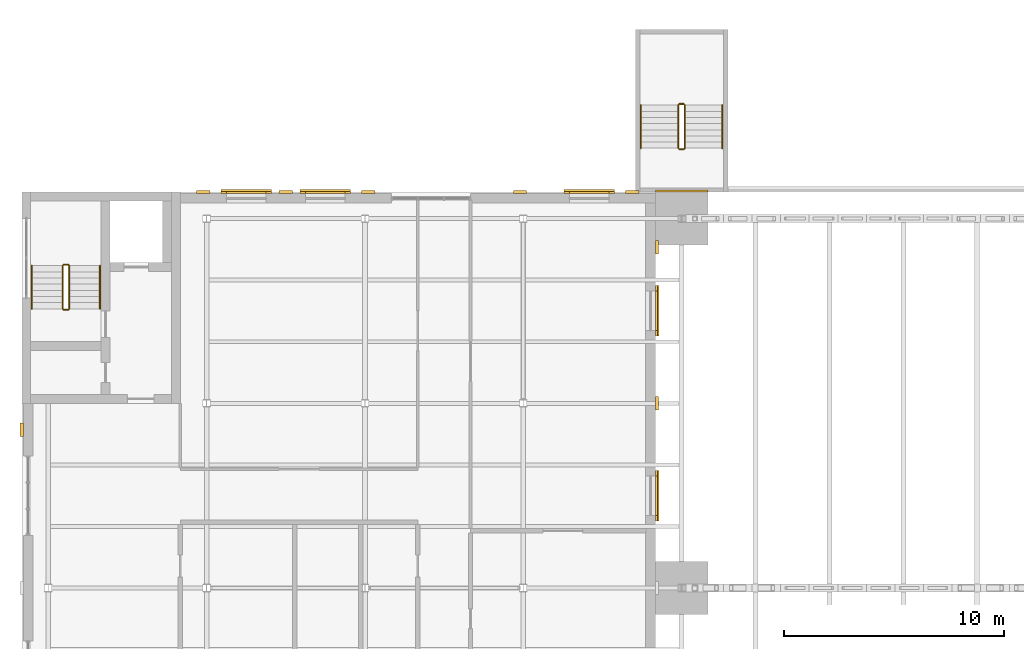
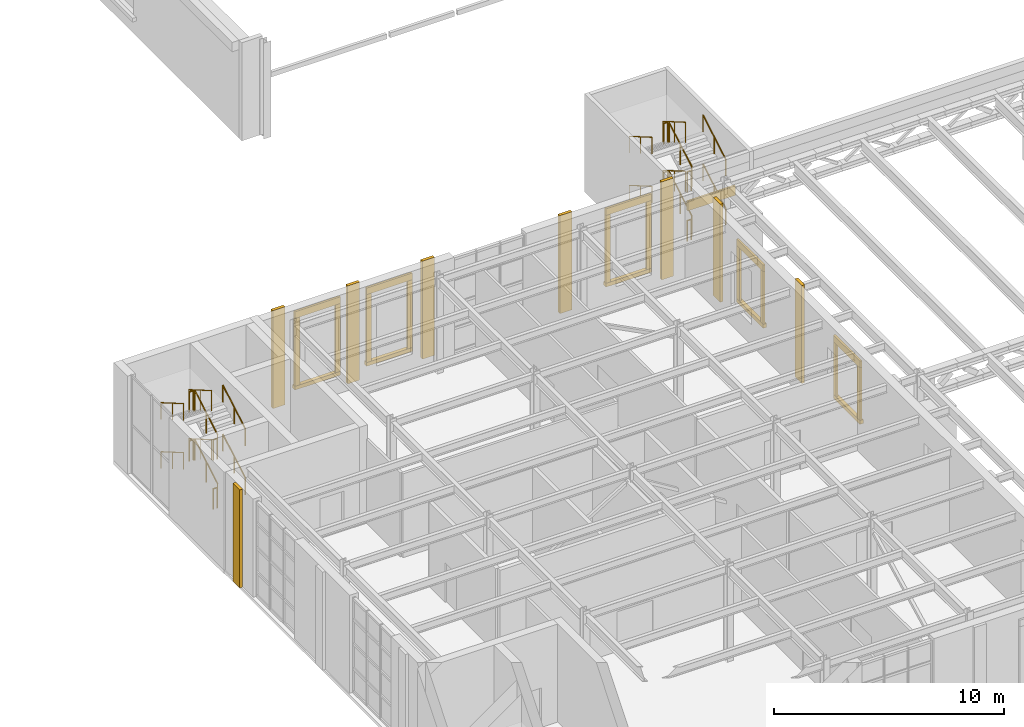
# One storey, part 81 of 93: 29 coverings, 24 railings.
"""IFC4 building model written with IfcOpenShell, lengths in metres."""

from ifc_helpers import new_model, si_unit, direction, frame, origin, origin_2d, place, context, subcontext, project, spatial, rectangle, circle, extrude, material, layer, layer_set, type_object, element, save


model = new_model("IFC4")

# Units and contexts
model_context = context("Model", 3, precision=1e-05, world=origin(), true_north=direction((0.0, 1.0)))
body_context = subcontext(model_context, "Body", "Model", "MODEL_VIEW")
ifc_project = project(units=[si_unit("LENGTHUNIT", "METRE"), si_unit("AREAUNIT", "SQUARE_METRE"), si_unit("VOLUMEUNIT", "CUBIC_METRE"), si_unit("PLANEANGLEUNIT", "RADIAN"), si_unit("MASSUNIT", "GRAM", prefix="KILO")], contexts=[model_context])

# Site, building, storey
site_placement = place(None, origin())
site = spatial("IfcSite", under=ifc_project, at=site_placement, CompositionType="ELEMENT")
building_placement = place(site_placement, origin())
building = spatial("IfcBuilding", under=site, at=building_placement, Name="Verrick Yard Athletic Hall", CompositionType="ELEMENT")
storey_placement = place(building_placement, frame((0.0, 0.0, 8.800048828125)))
storey = spatial("IfcBuildingStorey", under=building, at=storey_placement, Name="L02", CompositionType="ELEMENT", Elevation=8.800048828125)

# Covering
ifc_material_1 = material(Name="Limestone cladding", Category="masonry")
ifc_layer_1 = layer(ifc_material_1, 0.10009765625)
ifc_layer_set_1 = layer_set([ifc_layer_1], Name="Impost and capital moulding")
covering_type_1 = type_object("IfcCoveringType", Name="Impost and capital moulding", PredefinedType="MOLDING", material=ifc_layer_set_1)
covering_1_placement = place(storey_placement, frame((40.0, 54.050048828125, 3.14990234375), z_axis=(0.0, 0.0, 1.0), x_axis=(1.0, 0.0, 0.0)))
element("IfcCovering", 1, at=covering_1_placement, inside=storey, type_object=covering_type_1, Name="Capital N1", PredefinedType="MOLDING", context=body_context, shape_type="SweptSolid", body=[
    extrude(rectangle(XDim=2.39990234375, YDim=0.10009765625, at=origin_2d()), origin(), (0.0, 0.0, 1.0), 0.5),
])

# Railings
ifc_material_2 = material(Name="Stainless steel", Category="steel")
railing_type_1 = type_object("IfcRailingType", Name="Stair and core guard 1100", PredefinedType="GUARDRAIL", material=ifc_material_2)
railing_1_placement = place(storey_placement, frame((12.14990234375, 48.699951171875, 0.162353515625)))
element("IfcRailing", 2, at=railing_1_placement, inside=storey, type_object=railing_type_1, Name="L02 Wing north-west stair guard 1", PredefinedType="GUARDRAIL", context=body_context, shape_type="SweptSolid", body=[
    extrude(circle(Radius=0.02392578125, at=origin_2d()), frame((0.0, 0.0, 1.076171875), z_axis=(0.0, 0.864855337533, 0.502021160053), x_axis=(-1.0, 0.0, 0.0)), (0.0, 0.0, 1.0), 2.26611328125),
    extrude(circle(Radius=0.02099609375, at=origin_2d()), origin(), (0.0, 0.0, 1.0), 1.052001953125),
    extrude(circle(Radius=0.02099609375, at=origin_2d()), frame((0.0, 0.97998046875, 0.56884765625)), (0.0, 0.0, 1.0), 1.052001953125),
    extrude(circle(Radius=0.02099609375, at=origin_2d()), frame((0.0, 1.9599609375, 1.1376953125)), (0.0, 0.0, 1.0), 1.052001953125),
])
railing_2_placement = place(storey_placement, frame((12.10009765625, 50.7099609375, 1.300048828125)))
element("IfcRailing", 3, at=railing_2_placement, inside=storey, type_object=railing_type_1, Name="L02 Wing north-west stair guard 2", PredefinedType="GUARDRAIL", context=body_context, shape_type="SweptSolid", body=[
    extrude(circle(Radius=0.02392578125, at=origin_2d()), frame((0.0, 0.0, 1.076171875), z_axis=(-1.0, 0.0, 0.0), x_axis=(0.0, -1.0, 0.0)), (0.0, 0.0, 1.0), 0.2001953125),
    extrude(circle(Radius=0.02099609375, at=origin_2d()), origin(), (0.0, 0.0, 1.0), 1.052001953125),
    extrude(circle(Radius=0.02099609375, at=origin_2d()), frame((-0.2001953125, 0.0, 0.0)), (0.0, 0.0, 1.0), 1.052001953125),
])
railing_3_placement = place(storey_placement, frame((11.85009765625, 50.659912109375, 1.46240234375)))
element("IfcRailing", 4, at=railing_3_placement, inside=storey, type_object=railing_type_1, Name="L02 Wing north-west stair guard 3", PredefinedType="GUARDRAIL", context=body_context, shape_type="SweptSolid", body=[
    extrude(circle(Radius=0.02392578125, at=origin_2d()), frame((0.0, 0.0, 1.076171875), z_axis=(0.0, -0.864902109995, 0.501940574298), x_axis=(1.0, 0.0, 0.0)), (0.0, 0.0, 1.0), 2.26611328125),
    extrude(circle(Radius=0.02099609375, at=origin_2d()), origin(), (0.0, 0.0, 1.0), 1.052001953125),
    extrude(circle(Radius=0.02099609375, at=origin_2d()), frame((0.0, -0.97998046875, 0.56884765625)), (0.0, 0.0, 1.0), 1.052001953125),
    extrude(circle(Radius=0.02099609375, at=origin_2d()), frame((0.0, -1.9599609375, 1.137451171875)), (0.0, 0.0, 1.0), 1.052001953125),
])
railing_4_placement = place(storey_placement, frame((12.10009765625, 48.64990234375, 2.599853515625)))
element("IfcRailing", 5, at=railing_4_placement, inside=storey, type_object=railing_type_1, Name="L02 Wing north-west stair guard 4", PredefinedType="GUARDRAIL", context=body_context, shape_type="SweptSolid", body=[
    extrude(circle(Radius=0.02392578125, at=origin_2d()), frame((0.0, 0.0, 1.076171875), z_axis=(-1.0, 0.0, 0.0), x_axis=(0.0, -1.0, 0.0)), (0.0, 0.0, 1.0), 0.2001953125),
    extrude(circle(Radius=0.02099609375, at=origin_2d()), origin(), (0.0, 0.0, 1.0), 1.052001953125),
    extrude(circle(Radius=0.02099609375, at=origin_2d()), frame((-0.2001953125, 0.0, 0.0)), (0.0, 0.0, 1.0), 1.052001953125),
])
railing_5_placement = place(storey_placement, frame((12.14990234375, 48.699951171875, 2.762451171875)))
element("IfcRailing", 6, at=railing_5_placement, inside=storey, type_object=railing_type_1, Name="L02 Wing north-west stair guard 5", PredefinedType="GUARDRAIL", context=body_context, shape_type="SweptSolid", body=[
    extrude(circle(Radius=0.02392578125, at=origin_2d()), frame((0.0, 0.0, 1.076171875), z_axis=(0.0, 0.864902109995, 0.501940574298), x_axis=(-1.0, 0.0, 0.0)), (0.0, 0.0, 1.0), 2.26611328125),
    extrude(circle(Radius=0.02099609375, at=origin_2d()), origin(), (0.0, 0.0, 1.0), 1.052001953125),
    extrude(circle(Radius=0.02099609375, at=origin_2d()), frame((0.0, 0.97998046875, 0.56884765625)), (0.0, 0.0, 1.0), 1.052001953125),
    extrude(circle(Radius=0.02099609375, at=origin_2d()), frame((0.0, 1.9599609375, 1.137451171875)), (0.0, 0.0, 1.0), 1.052001953125),
])
railing_6_placement = place(storey_placement, frame((12.10009765625, 50.7099609375, 3.89990234375)))
element("IfcRailing", 7, at=railing_6_placement, inside=storey, type_object=railing_type_1, Name="L02 Wing north-west stair guard 6", PredefinedType="GUARDRAIL", context=body_context, shape_type="SweptSolid", body=[
    extrude(circle(Radius=0.02392578125, at=origin_2d()), frame((0.0, 0.0, 1.076171875), z_axis=(-1.0, 0.0, 0.0), x_axis=(0.0, -1.0, 0.0)), (0.0, 0.0, 1.0), 0.2001953125),
    extrude(circle(Radius=0.02099609375, at=origin_2d()), origin(), (0.0, 0.0, 1.0), 1.052001953125),
    extrude(circle(Radius=0.02099609375, at=origin_2d()), frame((-0.2001953125, 0.0, 0.0)), (0.0, 0.0, 1.0), 1.052001953125),
])
railing_7_placement = place(storey_placement, frame((11.85009765625, 50.659912109375, 4.0625)))
element("IfcRailing", 8, at=railing_7_placement, inside=storey, type_object=railing_type_1, Name="L02 Wing north-west stair guard 7", PredefinedType="GUARDRAIL", context=body_context, shape_type="SweptSolid", body=[
    extrude(circle(Radius=0.02392578125, at=origin_2d()), frame((0.0, 0.0, 1.076171875), z_axis=(0.0, -0.864902109995, 0.501940574298), x_axis=(1.0, 0.0, 0.0)), (0.0, 0.0, 1.0), 2.26611328125),
    extrude(circle(Radius=0.02099609375, at=origin_2d()), origin(), (0.0, 0.0, 1.0), 1.052001953125),
    extrude(circle(Radius=0.02099609375, at=origin_2d()), frame((0.0, -0.97998046875, 0.56884765625)), (0.0, 0.0, 1.0), 1.052001953125),
    extrude(circle(Radius=0.02099609375, at=origin_2d()), frame((0.0, -1.9599609375, 1.137451171875)), (0.0, 0.0, 1.0), 1.052001953125),
])
railing_8_placement = place(storey_placement, frame((12.10009765625, 48.64990234375, 0.0)))
element("IfcRailing", 9, at=railing_8_placement, inside=storey, type_object=railing_type_1, Name="L02 Wing north-west stair guard 8", PredefinedType="GUARDRAIL", context=body_context, shape_type="SweptSolid", body=[
    extrude(circle(Radius=0.02392578125, at=origin_2d()), frame((0.0, 0.0, 1.076171875), z_axis=(-1.0, 0.0, 0.0), x_axis=(0.0, -1.0, 0.0)), (0.0, 0.0, 1.0), 0.2001953125),
    extrude(circle(Radius=0.02099609375, at=origin_2d()), origin(), (0.0, 0.0, 1.0), 1.052001953125),
    extrude(circle(Radius=0.02099609375, at=origin_2d()), frame((-0.2001953125, 0.0, 0.0)), (0.0, 0.0, 1.0), 1.052001953125),
])
railing_9_placement = place(storey_placement, frame((40.14990234375, 56.0, 0.162353515625)))
element("IfcRailing", 10, at=railing_9_placement, inside=storey, type_object=railing_type_1, Name="L02 North deck escape 1 stair guard 1", PredefinedType="GUARDRAIL", context=body_context, shape_type="SweptSolid", body=[
    extrude(circle(Radius=0.02392578125, at=origin_2d()), frame((0.0, 0.0, 1.076171875), z_axis=(0.0, 0.864855337533, 0.502021160053), x_axis=(-1.0, 0.0, 0.0)), (0.0, 0.0, 1.0), 2.26611328125),
    extrude(circle(Radius=0.02099609375, at=origin_2d()), origin(), (0.0, 0.0, 1.0), 1.052001953125),
    extrude(circle(Radius=0.02099609375, at=origin_2d()), frame((0.0, 0.97998046875, 0.56884765625)), (0.0, 0.0, 1.0), 1.052001953125),
    extrude(circle(Radius=0.02099609375, at=origin_2d()), frame((0.0, 1.9599609375, 1.1376953125)), (0.0, 0.0, 1.0), 1.052001953125),
])
railing_10_placement = place(storey_placement, frame((40.10009765625, 58.010009765625, 1.300048828125)))
element("IfcRailing", 11, at=railing_10_placement, inside=storey, type_object=railing_type_1, Name="L02 North deck escape 1 stair guard 2", PredefinedType="GUARDRAIL", context=body_context, shape_type="SweptSolid", body=[
    extrude(circle(Radius=0.02392578125, at=origin_2d()), frame((0.0, 0.0, 1.076171875), z_axis=(-1.0, 0.0, 0.0), x_axis=(0.0, -1.0, 0.0)), (0.0, 0.0, 1.0), 0.2001953125),
    extrude(circle(Radius=0.02099609375, at=origin_2d()), origin(), (0.0, 0.0, 1.0), 1.052001953125),
    extrude(circle(Radius=0.02099609375, at=origin_2d()), frame((-0.2001953125, 0.0, 0.0)), (0.0, 0.0, 1.0), 1.052001953125),
])
railing_11_placement = place(storey_placement, frame((39.85009765625, 57.9599609375, 1.46240234375)))
element("IfcRailing", 12, at=railing_11_placement, inside=storey, type_object=railing_type_1, Name="L02 North deck escape 1 stair guard 3", PredefinedType="GUARDRAIL", context=body_context, shape_type="SweptSolid", body=[
    extrude(circle(Radius=0.02392578125, at=origin_2d()), frame((0.0, 0.0, 1.076171875), z_axis=(0.0, -0.864902109995, 0.501940574298), x_axis=(1.0, 0.0, 0.0)), (0.0, 0.0, 1.0), 2.26611328125),
    extrude(circle(Radius=0.02099609375, at=origin_2d()), origin(), (0.0, 0.0, 1.0), 1.052001953125),
    extrude(circle(Radius=0.02099609375, at=origin_2d()), frame((0.0, -0.97998046875, 0.56884765625)), (0.0, 0.0, 1.0), 1.052001953125),
    extrude(circle(Radius=0.02099609375, at=origin_2d()), frame((0.0, -1.9599609375, 1.137451171875)), (0.0, 0.0, 1.0), 1.052001953125),
])
railing_12_placement = place(storey_placement, frame((40.10009765625, 55.949951171875, 2.599853515625)))
element("IfcRailing", 13, at=railing_12_placement, inside=storey, type_object=railing_type_1, Name="L02 North deck escape 1 stair guard 4", PredefinedType="GUARDRAIL", context=body_context, shape_type="SweptSolid", body=[
    extrude(circle(Radius=0.02392578125, at=origin_2d()), frame((0.0, 0.0, 1.076171875), z_axis=(-1.0, 0.0, 0.0), x_axis=(0.0, -1.0, 0.0)), (0.0, 0.0, 1.0), 0.2001953125),
    extrude(circle(Radius=0.02099609375, at=origin_2d()), origin(), (0.0, 0.0, 1.0), 1.052001953125),
    extrude(circle(Radius=0.02099609375, at=origin_2d()), frame((-0.2001953125, 0.0, 0.0)), (0.0, 0.0, 1.0), 1.052001953125),
])
railing_13_placement = place(storey_placement, frame((40.14990234375, 56.0, 2.762451171875)))
element("IfcRailing", 14, at=railing_13_placement, inside=storey, type_object=railing_type_1, Name="L02 North deck escape 1 stair guard 5", PredefinedType="GUARDRAIL", context=body_context, shape_type="SweptSolid", body=[
    extrude(circle(Radius=0.02392578125, at=origin_2d()), frame((0.0, 0.0, 1.076171875), z_axis=(0.0, 0.864902109995, 0.501940574298), x_axis=(-1.0, 0.0, 0.0)), (0.0, 0.0, 1.0), 2.26611328125),
    extrude(circle(Radius=0.02099609375, at=origin_2d()), origin(), (0.0, 0.0, 1.0), 1.052001953125),
    extrude(circle(Radius=0.02099609375, at=origin_2d()), frame((0.0, 0.97998046875, 0.56884765625)), (0.0, 0.0, 1.0), 1.052001953125),
    extrude(circle(Radius=0.02099609375, at=origin_2d()), frame((0.0, 1.9599609375, 1.137451171875)), (0.0, 0.0, 1.0), 1.052001953125),
])
railing_14_placement = place(storey_placement, frame((40.10009765625, 58.010009765625, 3.89990234375)))
element("IfcRailing", 15, at=railing_14_placement, inside=storey, type_object=railing_type_1, Name="L02 North deck escape 1 stair guard 6", PredefinedType="GUARDRAIL", context=body_context, shape_type="SweptSolid", body=[
    extrude(circle(Radius=0.02392578125, at=origin_2d()), frame((0.0, 0.0, 1.076171875), z_axis=(-1.0, 0.0, 0.0), x_axis=(0.0, -1.0, 0.0)), (0.0, 0.0, 1.0), 0.2001953125),
    extrude(circle(Radius=0.02099609375, at=origin_2d()), origin(), (0.0, 0.0, 1.0), 1.052001953125),
    extrude(circle(Radius=0.02099609375, at=origin_2d()), frame((-0.2001953125, 0.0, 0.0)), (0.0, 0.0, 1.0), 1.052001953125),
])
railing_15_placement = place(storey_placement, frame((39.85009765625, 57.9599609375, 4.0625)))
element("IfcRailing", 16, at=railing_15_placement, inside=storey, type_object=railing_type_1, Name="L02 North deck escape 1 stair guard 7", PredefinedType="GUARDRAIL", context=body_context, shape_type="SweptSolid", body=[
    extrude(circle(Radius=0.02392578125, at=origin_2d()), frame((0.0, 0.0, 1.076171875), z_axis=(0.0, -0.864902109995, 0.501940574298), x_axis=(1.0, 0.0, 0.0)), (0.0, 0.0, 1.0), 2.26611328125),
    extrude(circle(Radius=0.02099609375, at=origin_2d()), origin(), (0.0, 0.0, 1.0), 1.052001953125),
    extrude(circle(Radius=0.02099609375, at=origin_2d()), frame((0.0, -0.97998046875, 0.56884765625)), (0.0, 0.0, 1.0), 1.052001953125),
    extrude(circle(Radius=0.02099609375, at=origin_2d()), frame((0.0, -1.9599609375, 1.137451171875)), (0.0, 0.0, 1.0), 1.052001953125),
])
railing_16_placement = place(storey_placement, frame((40.10009765625, 55.949951171875, 0.0)))
element("IfcRailing", 17, at=railing_16_placement, inside=storey, type_object=railing_type_1, Name="L02 North deck escape 1 stair guard 8", PredefinedType="GUARDRAIL", context=body_context, shape_type="SweptSolid", body=[
    extrude(circle(Radius=0.02392578125, at=origin_2d()), frame((0.0, 0.0, 1.076171875), z_axis=(-1.0, 0.0, 0.0), x_axis=(0.0, -1.0, 0.0)), (0.0, 0.0, 1.0), 0.2001953125),
    extrude(circle(Radius=0.02099609375, at=origin_2d()), origin(), (0.0, 0.0, 1.0), 1.052001953125),
    extrude(circle(Radius=0.02099609375, at=origin_2d()), frame((-0.2001953125, 0.0, 0.0)), (0.0, 0.0, 1.0), 1.052001953125),
])
railing_type_2 = type_object("IfcRailingType", Name="Stair handrail 900", PredefinedType="HANDRAIL", material=ifc_material_2)
railing_17_placement = place(storey_placement, frame((13.550048828125, 48.699951171875, 0.162353515625)))
element("IfcRailing", 18, at=railing_17_placement, inside=storey, type_object=railing_type_2, Name="L02 Wing north-west stair handrail 1", PredefinedType="HANDRAIL", context=body_context, shape_type="SweptSolid", body=[
    extrude(circle(Radius=0.02392578125, at=origin_2d()), frame((0.0, 0.0, 0.8759765625), z_axis=(0.0, 0.864855337533, 0.502021160053), x_axis=(-1.0, 0.0, 0.0)), (0.0, 0.0, 1.0), 2.26611328125),
    extrude(circle(Radius=0.02099609375, at=origin_2d()), origin(), (0.0, 0.0, 1.0), 0.851806640625),
    extrude(circle(Radius=0.02099609375, at=origin_2d()), frame((0.0, 0.97998046875, 0.56884765625)), (0.0, 0.0, 1.0), 0.851806640625),
    extrude(circle(Radius=0.02099609375, at=origin_2d()), frame((0.0, 1.9599609375, 1.1376953125)), (0.0, 0.0, 1.0), 0.851806640625),
])
railing_18_placement = place(storey_placement, frame((10.449951171875, 50.659912109375, 1.46240234375)))
element("IfcRailing", 19, at=railing_18_placement, inside=storey, type_object=railing_type_2, Name="L02 Wing north-west stair handrail 2", PredefinedType="HANDRAIL", context=body_context, shape_type="SweptSolid", body=[
    extrude(circle(Radius=0.02392578125, at=origin_2d()), frame((0.0, 0.0, 0.8759765625), z_axis=(0.0, -0.864902109995, 0.501940574298), x_axis=(1.0, 0.0, 0.0)), (0.0, 0.0, 1.0), 2.26611328125),
    extrude(circle(Radius=0.02099609375, at=origin_2d()), origin(), (0.0, 0.0, 1.0), 0.851806640625),
    extrude(circle(Radius=0.02099609375, at=origin_2d()), frame((0.0, -0.97998046875, 0.56884765625)), (0.0, 0.0, 1.0), 0.851806640625),
    extrude(circle(Radius=0.02099609375, at=origin_2d()), frame((0.0, -1.9599609375, 1.137451171875)), (0.0, 0.0, 1.0), 0.851806640625),
])
railing_19_placement = place(storey_placement, frame((13.550048828125, 48.699951171875, 2.762451171875)))
element("IfcRailing", 20, at=railing_19_placement, inside=storey, type_object=railing_type_2, Name="L02 Wing north-west stair handrail 3", PredefinedType="HANDRAIL", context=body_context, shape_type="SweptSolid", body=[
    extrude(circle(Radius=0.02392578125, at=origin_2d()), frame((0.0, 0.0, 0.8759765625), z_axis=(0.0, 0.864902109995, 0.501940574298), x_axis=(-1.0, 0.0, 0.0)), (0.0, 0.0, 1.0), 2.26611328125),
    extrude(circle(Radius=0.02099609375, at=origin_2d()), origin(), (0.0, 0.0, 1.0), 0.851806640625),
    extrude(circle(Radius=0.02099609375, at=origin_2d()), frame((0.0, 0.97998046875, 0.56884765625)), (0.0, 0.0, 1.0), 0.851806640625),
    extrude(circle(Radius=0.02099609375, at=origin_2d()), frame((0.0, 1.9599609375, 1.137451171875)), (0.0, 0.0, 1.0), 0.851806640625),
])
railing_20_placement = place(storey_placement, frame((10.449951171875, 50.659912109375, 4.0625)))
element("IfcRailing", 21, at=railing_20_placement, inside=storey, type_object=railing_type_2, Name="L02 Wing north-west stair handrail 4", PredefinedType="HANDRAIL", context=body_context, shape_type="SweptSolid", body=[
    extrude(circle(Radius=0.02392578125, at=origin_2d()), frame((0.0, 0.0, 0.8759765625), z_axis=(0.0, -0.864902109995, 0.501940574298), x_axis=(1.0, 0.0, 0.0)), (0.0, 0.0, 1.0), 2.26611328125),
    extrude(circle(Radius=0.02099609375, at=origin_2d()), origin(), (0.0, 0.0, 1.0), 0.851806640625),
    extrude(circle(Radius=0.02099609375, at=origin_2d()), frame((0.0, -0.97998046875, 0.56884765625)), (0.0, 0.0, 1.0), 0.851806640625),
    extrude(circle(Radius=0.02099609375, at=origin_2d()), frame((0.0, -1.9599609375, 1.137451171875)), (0.0, 0.0, 1.0), 0.851806640625),
])
railing_21_placement = place(storey_placement, frame((41.85009765625, 56.0, 0.162353515625)))
element("IfcRailing", 22, at=railing_21_placement, inside=storey, type_object=railing_type_2, Name="L02 North deck escape 1 stair handrail 1", PredefinedType="HANDRAIL", context=body_context, shape_type="SweptSolid", body=[
    extrude(circle(Radius=0.02392578125, at=origin_2d()), frame((0.0, 0.0, 0.8759765625), z_axis=(0.0, 0.864855337533, 0.502021160053), x_axis=(-1.0, 0.0, 0.0)), (0.0, 0.0, 1.0), 2.26611328125),
    extrude(circle(Radius=0.02099609375, at=origin_2d()), origin(), (0.0, 0.0, 1.0), 0.851806640625),
    extrude(circle(Radius=0.02099609375, at=origin_2d()), frame((0.0, 0.97998046875, 0.56884765625)), (0.0, 0.0, 1.0), 0.851806640625),
    extrude(circle(Radius=0.02099609375, at=origin_2d()), frame((0.0, 1.9599609375, 1.1376953125)), (0.0, 0.0, 1.0), 0.851806640625),
])
railing_22_placement = place(storey_placement, frame((38.14990234375, 57.9599609375, 1.46240234375)))
element("IfcRailing", 23, at=railing_22_placement, inside=storey, type_object=railing_type_2, Name="L02 North deck escape 1 stair handrail 2", PredefinedType="HANDRAIL", context=body_context, shape_type="SweptSolid", body=[
    extrude(circle(Radius=0.02392578125, at=origin_2d()), frame((0.0, 0.0, 0.8759765625), z_axis=(0.0, -0.864902109995, 0.501940574298), x_axis=(1.0, 0.0, 0.0)), (0.0, 0.0, 1.0), 2.26611328125),
    extrude(circle(Radius=0.02099609375, at=origin_2d()), origin(), (0.0, 0.0, 1.0), 0.851806640625),
    extrude(circle(Radius=0.02099609375, at=origin_2d()), frame((0.0, -0.97998046875, 0.56884765625)), (0.0, 0.0, 1.0), 0.851806640625),
    extrude(circle(Radius=0.02099609375, at=origin_2d()), frame((0.0, -1.9599609375, 1.137451171875)), (0.0, 0.0, 1.0), 0.851806640625),
])
railing_23_placement = place(storey_placement, frame((41.85009765625, 56.0, 2.762451171875)))
element("IfcRailing", 24, at=railing_23_placement, inside=storey, type_object=railing_type_2, Name="L02 North deck escape 1 stair handrail 3", PredefinedType="HANDRAIL", context=body_context, shape_type="SweptSolid", body=[
    extrude(circle(Radius=0.02392578125, at=origin_2d()), frame((0.0, 0.0, 0.8759765625), z_axis=(0.0, 0.864902109995, 0.501940574298), x_axis=(-1.0, 0.0, 0.0)), (0.0, 0.0, 1.0), 2.26611328125),
    extrude(circle(Radius=0.02099609375, at=origin_2d()), origin(), (0.0, 0.0, 1.0), 0.851806640625),
    extrude(circle(Radius=0.02099609375, at=origin_2d()), frame((0.0, 0.97998046875, 0.56884765625)), (0.0, 0.0, 1.0), 0.851806640625),
    extrude(circle(Radius=0.02099609375, at=origin_2d()), frame((0.0, 1.9599609375, 1.137451171875)), (0.0, 0.0, 1.0), 0.851806640625),
])
railing_24_placement = place(storey_placement, frame((38.14990234375, 57.9599609375, 4.0625)))
element("IfcRailing", 25, at=railing_24_placement, inside=storey, type_object=railing_type_2, Name="L02 North deck escape 1 stair handrail 4", PredefinedType="HANDRAIL", context=body_context, shape_type="SweptSolid", body=[
    extrude(circle(Radius=0.02392578125, at=origin_2d()), frame((0.0, 0.0, 0.8759765625), z_axis=(0.0, -0.864902109995, 0.501940574298), x_axis=(1.0, 0.0, 0.0)), (0.0, 0.0, 1.0), 2.26611328125),
    extrude(circle(Radius=0.02099609375, at=origin_2d()), origin(), (0.0, 0.0, 1.0), 0.851806640625),
    extrude(circle(Radius=0.02099609375, at=origin_2d()), frame((0.0, -0.97998046875, 0.56884765625)), (0.0, 0.0, 1.0), 0.851806640625),
    extrude(circle(Radius=0.02099609375, at=origin_2d()), frame((0.0, -1.9599609375, 1.137451171875)), (0.0, 0.0, 1.0), 0.851806640625),
])

# Coverings
ifc_material_3 = material(Name="Tyndall-stone-look precast cladding", Category="masonry")
ifc_layer_2 = layer(ifc_material_3, 0.125)
ifc_layer_set_2 = layer_set([ifc_layer_2], Name="Stone cladding")
covering_type_2 = type_object("IfcCoveringType", Name="Stone cladding", PredefinedType="CLADDING", material=ifc_layer_set_2)
for number, where, z_axis, x_axis, name in (
    (26, (18.25, 54.012451171875, 0.0), (0.0, 0.0, 1.0), (1.0, 0.0, 0.0), "Wing pilaster"),
    (27, (22.0, 54.012451171875, 0.0), (0.0, 0.0, 1.0), (1.0, 0.0, 0.0), "Wing pilaster"),
    (28, (25.75, 54.012451171875, 0.0), (0.0, 0.0, 1.0), (1.0, 0.0, 0.0), "Wing pilaster"),
    (29, (32.64990234375, 54.012451171875, 0.0), (0.0, 0.0, 1.0), (1.0, 0.0, 0.0), "Wing pilaster"),
    (30, (37.75, 54.012451171875, 0.0), (0.0, 0.0, 1.0), (1.0, 0.0, 0.0), "Wing pilaster"),
    (31, (9.987548828125, 43.199951171875, 0.0), (0.0, 0.0, 1.0), (0.0, 1.0, 0.0), "Wing pilaster"),
    (32, (38.875, 44.39990234375, 0.0), (0.0, 0.0, 1.0), (0.0, 1.0, 0.0), "Wing pilaster"),
    (33, (38.875, 51.5, 0.0), (0.0, 0.0, 1.0), (0.0, 1.0, 0.0), "Wing pilaster"),
):
    element("IfcCovering", number, at=place(storey_placement, frame(where, z_axis=z_axis, x_axis=x_axis)), inside=storey, type_object=covering_type_2, Name=name, PredefinedType="CLADDING", context=body_context, shape_type="SweptSolid", body=[
        extrude(rectangle(XDim=0.60009765625, YDim=0.14990234375, at=origin_2d()), origin(), (0.0, 0.0, 1.0), 5.199951171875),
    ])
ifc_layer_3 = layer(ifc_material_3, 0.25)
ifc_layer_set_3 = layer_set([ifc_layer_3], Name="Stone moulding")
covering_type_3 = type_object("IfcCoveringType", Name="Stone moulding", PredefinedType="MOLDING", material=ifc_layer_set_3)
covering_2_placement = place(storey_placement, frame((20.199951171875, 54.027587890625, 0.60009765625), z_axis=(0.0, 0.0, 1.0), x_axis=(1.0, 0.0, 0.0)))
element("IfcCovering", 34, at=covering_2_placement, inside=storey, type_object=covering_type_3, Name="Window sill", PredefinedType="MOLDING", context=body_context, shape_type="SweptSolid", body=[
    extrude(rectangle(XDim=2.300048828125, YDim=0.179931640625, at=origin_2d()), origin(), (0.0, 0.0, 1.0), 0.199951171875),
])
covering_3_placement = place(storey_placement, frame((20.199951171875, 53.987548828125, 4.39990234375), z_axis=(0.0, 0.0, 1.0), x_axis=(1.0, 0.0, 0.0)))
element("IfcCovering", 35, at=covering_3_placement, inside=storey, type_object=covering_type_3, Name="Window head", PredefinedType="MOLDING", context=body_context, shape_type="SweptSolid", body=[
    extrude(rectangle(XDim=2.300048828125, YDim=0.10009765625, at=origin_2d()), origin(), (0.0, 0.0, 1.0), 0.35009765625),
])
for number, where, z_axis, x_axis, name in (
    (36, (19.175048828125, 53.987548828125, 0.7998046875), (0.0, 0.0, 1.0), (1.0, 0.0, 0.0), "Window jamb"),
    (37, (21.22509765625, 53.987548828125, 0.7998046875), (0.0, 0.0, 1.0), (1.0, 0.0, 0.0), "Window jamb"),
):
    element("IfcCovering", number, at=place(storey_placement, frame(where, z_axis=z_axis, x_axis=x_axis)), inside=storey, type_object=covering_type_3, Name=name, PredefinedType="MOLDING", context=body_context, shape_type="SweptSolid", body=[
        extrude(rectangle(XDim=0.25, YDim=0.10009765625, at=origin_2d()), origin(), (0.0, 0.0, 1.0), 3.60009765625),
    ])
covering_4_placement = place(storey_placement, frame((23.800048828125, 54.027587890625, 0.60009765625), z_axis=(0.0, 0.0, 1.0), x_axis=(1.0, 0.0, 0.0)))
element("IfcCovering", 38, at=covering_4_placement, inside=storey, type_object=covering_type_3, Name="Window sill", PredefinedType="MOLDING", context=body_context, shape_type="SweptSolid", body=[
    extrude(rectangle(XDim=2.300048828125, YDim=0.179931640625, at=origin_2d()), origin(), (0.0, 0.0, 1.0), 0.199951171875),
])
covering_5_placement = place(storey_placement, frame((23.800048828125, 53.987548828125, 4.39990234375), z_axis=(0.0, 0.0, 1.0), x_axis=(1.0, 0.0, 0.0)))
element("IfcCovering", 39, at=covering_5_placement, inside=storey, type_object=covering_type_3, Name="Window head", PredefinedType="MOLDING", context=body_context, shape_type="SweptSolid", body=[
    extrude(rectangle(XDim=2.300048828125, YDim=0.10009765625, at=origin_2d()), origin(), (0.0, 0.0, 1.0), 0.35009765625),
])
for number, where, z_axis, x_axis, name in (
    (40, (22.77490234375, 53.987548828125, 0.7998046875), (0.0, 0.0, 1.0), (1.0, 0.0, 0.0), "Window jamb"),
    (41, (24.824951171875, 53.987548828125, 0.7998046875), (0.0, 0.0, 1.0), (1.0, 0.0, 0.0), "Window jamb"),
):
    element("IfcCovering", number, at=place(storey_placement, frame(where, z_axis=z_axis, x_axis=x_axis)), inside=storey, type_object=covering_type_3, Name=name, PredefinedType="MOLDING", context=body_context, shape_type="SweptSolid", body=[
        extrude(rectangle(XDim=0.25, YDim=0.10009765625, at=origin_2d()), origin(), (0.0, 0.0, 1.0), 3.60009765625),
    ])
covering_6_placement = place(storey_placement, frame((35.800048828125, 54.027587890625, 0.60009765625), z_axis=(0.0, 0.0, 1.0), x_axis=(1.0, 0.0, 0.0)))
element("IfcCovering", 42, at=covering_6_placement, inside=storey, type_object=covering_type_3, Name="Window sill", PredefinedType="MOLDING", context=body_context, shape_type="SweptSolid", body=[
    extrude(rectangle(XDim=2.300048828125, YDim=0.179931640625, at=origin_2d()), origin(), (0.0, 0.0, 1.0), 0.199951171875),
])
covering_7_placement = place(storey_placement, frame((35.800048828125, 53.987548828125, 4.39990234375), z_axis=(0.0, 0.0, 1.0), x_axis=(1.0, 0.0, 0.0)))
element("IfcCovering", 43, at=covering_7_placement, inside=storey, type_object=covering_type_3, Name="Window head", PredefinedType="MOLDING", context=body_context, shape_type="SweptSolid", body=[
    extrude(rectangle(XDim=2.300048828125, YDim=0.10009765625, at=origin_2d()), origin(), (0.0, 0.0, 1.0), 0.35009765625),
])
for number, where, z_axis, x_axis, name in (
    (44, (34.77490234375, 53.987548828125, 0.7998046875), (0.0, 0.0, 1.0), (1.0, 0.0, 0.0), "Window jamb"),
    (45, (36.824951171875, 53.987548828125, 0.7998046875), (0.0, 0.0, 1.0), (1.0, 0.0, 0.0), "Window jamb"),
):
    element("IfcCovering", number, at=place(storey_placement, frame(where, z_axis=z_axis, x_axis=x_axis)), inside=storey, type_object=covering_type_3, Name=name, PredefinedType="MOLDING", context=body_context, shape_type="SweptSolid", body=[
        extrude(rectangle(XDim=0.25, YDim=0.10009765625, at=origin_2d()), origin(), (0.0, 0.0, 1.0), 3.60009765625),
    ])
covering_8_placement = place(storey_placement, frame((38.889892578125, 40.199951171875, 0.89990234375), z_axis=(0.0, 0.0, 1.0), x_axis=(0.0, 1.0, 0.0)))
element("IfcCovering", 46, at=covering_8_placement, inside=storey, type_object=covering_type_3, Name="Window sill", PredefinedType="MOLDING", context=body_context, shape_type="SweptSolid", body=[
    extrude(rectangle(XDim=2.300048828125, YDim=0.179931640625, at=origin_2d()), origin(), (0.0, 0.0, 1.0), 0.199951171875),
])
covering_9_placement = place(storey_placement, frame((38.85009765625, 40.199951171875, 3.89990234375), z_axis=(0.0, 0.0, 1.0), x_axis=(0.0, 1.0, 0.0)))
element("IfcCovering", 47, at=covering_9_placement, inside=storey, type_object=covering_type_3, Name="Window head", PredefinedType="MOLDING", context=body_context, shape_type="SweptSolid", body=[
    extrude(rectangle(XDim=2.300048828125, YDim=0.10009765625, at=origin_2d()), origin(), (0.0, 0.0, 1.0), 0.35009765625),
])
for number, where, z_axis, x_axis, name in (
    (48, (38.85009765625, 39.175048828125, 1.10009765625), (0.0, 0.0, 1.0), (0.0, 1.0, 0.0), "Window jamb"),
    (49, (38.85009765625, 41.22509765625, 1.10009765625), (0.0, 0.0, 1.0), (0.0, 1.0, 0.0), "Window jamb"),
):
    element("IfcCovering", number, at=place(storey_placement, frame(where, z_axis=z_axis, x_axis=x_axis)), inside=storey, type_object=covering_type_3, Name=name, PredefinedType="MOLDING", context=body_context, shape_type="SweptSolid", body=[
        extrude(rectangle(XDim=0.25, YDim=0.10009765625, at=origin_2d()), origin(), (0.0, 0.0, 1.0), 2.800048828125),
    ])
covering_10_placement = place(storey_placement, frame((38.889892578125, 48.60009765625, 0.89990234375), z_axis=(0.0, 0.0, 1.0), x_axis=(0.0, 1.0, 0.0)))
element("IfcCovering", 50, at=covering_10_placement, inside=storey, type_object=covering_type_3, Name="Window sill", PredefinedType="MOLDING", context=body_context, shape_type="SweptSolid", body=[
    extrude(rectangle(XDim=2.300048828125, YDim=0.179931640625, at=origin_2d()), origin(), (0.0, 0.0, 1.0), 0.199951171875),
])
covering_11_placement = place(storey_placement, frame((38.85009765625, 48.60009765625, 3.89990234375), z_axis=(0.0, 0.0, 1.0), x_axis=(0.0, 1.0, 0.0)))
element("IfcCovering", 51, at=covering_11_placement, inside=storey, type_object=covering_type_3, Name="Window head", PredefinedType="MOLDING", context=body_context, shape_type="SweptSolid", body=[
    extrude(rectangle(XDim=2.300048828125, YDim=0.10009765625, at=origin_2d()), origin(), (0.0, 0.0, 1.0), 0.35009765625),
])
for number, where, z_axis, x_axis, name in (
    (52, (38.85009765625, 47.574951171875, 1.10009765625), (0.0, 0.0, 1.0), (0.0, 1.0, 0.0), "Window jamb"),
    (53, (38.85009765625, 49.625, 1.10009765625), (0.0, 0.0, 1.0), (0.0, 1.0, 0.0), "Window jamb"),
):
    element("IfcCovering", number, at=place(storey_placement, frame(where, z_axis=z_axis, x_axis=x_axis)), inside=storey, type_object=covering_type_3, Name=name, PredefinedType="MOLDING", context=body_context, shape_type="SweptSolid", body=[
        extrude(rectangle(XDim=0.25, YDim=0.10009765625, at=origin_2d()), origin(), (0.0, 0.0, 1.0), 2.800048828125),
    ])

save(model, "model.ifc")
